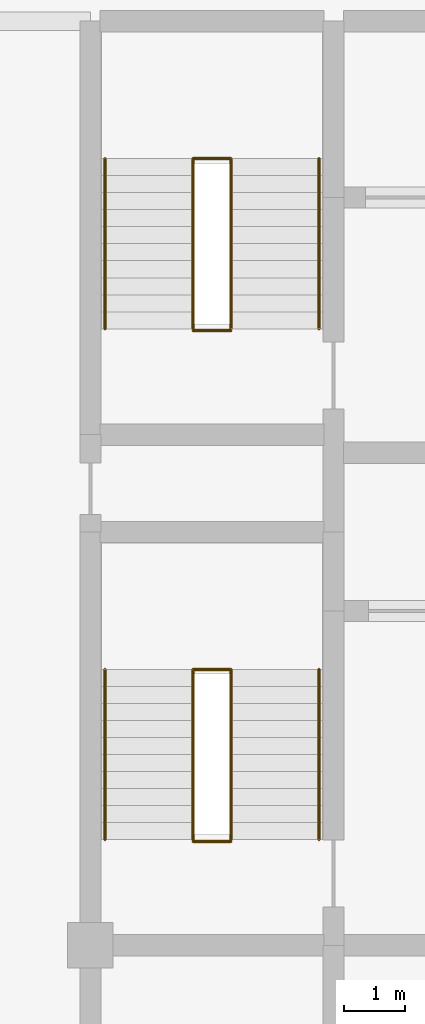
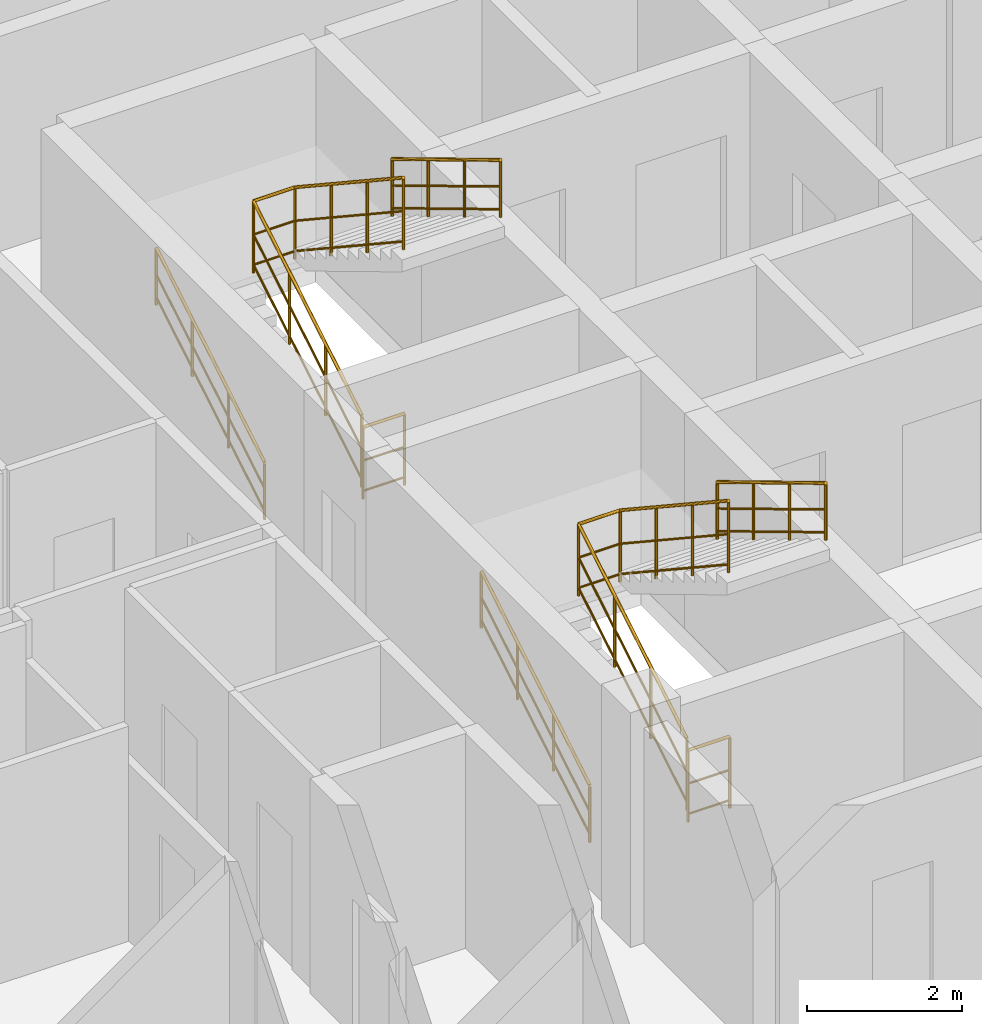
# One storey, part 27 of 27: 8 railings.
"""IFC4 building model written with IfcOpenShell, lengths in metres."""

from ifc_helpers import new_model, si_unit, direction, frame, origin, origin_2d, place, context, subcontext, project, spatial, circle, extrude, material, layer, layer_set, type_object, element, save


model = new_model("IFC4")

# Units and contexts
model_context = context("Model", 3, precision=1e-05, world=origin(), true_north=direction((0.0, 1.0)))
body_context = subcontext(model_context, "Body", "Model", "MODEL_VIEW")
ifc_project = project(units=[si_unit("LENGTHUNIT", "METRE"), si_unit("AREAUNIT", "SQUARE_METRE"), si_unit("VOLUMEUNIT", "CUBIC_METRE"), si_unit("PLANEANGLEUNIT", "RADIAN"), si_unit("MASSUNIT", "GRAM", prefix="KILO")], contexts=[model_context])

# Site, building, storey
site_placement = place(None, origin())
site = spatial("IfcSite", under=ifc_project, at=site_placement, CompositionType="ELEMENT")
building_placement = place(site_placement, origin())
building = spatial("IfcBuilding", under=site, at=building_placement, Name="Keshet Zoharim Tower", CompositionType="ELEMENT")
storey_placement = place(building_placement, frame((0.0, 0.0, 254.699951171875)))
storey = spatial("IfcBuildingStorey", under=building, at=storey_placement, Name="L63", CompositionType="ELEMENT", Elevation=254.699951171875)

# Railings
ifc_material = material(Name="Steel S355", Category="steel")
ifc_layer_1 = layer(ifc_material, 0.050048828125)
ifc_layer_set_1 = layer_set([ifc_layer_1], Name="Steel S355")
railing_type_1 = type_object("IfcRailingType", Name="RL-HND-092", PredefinedType="HANDRAIL", material=ifc_layer_set_1)
railing_1_placement = place(storey_placement, frame((15.239990234375, 24.43994140625, 0.168212890625)))
element("IfcRailing", 1, at=railing_1_placement, inside=storey, type_object=railing_type_1, Name="L63 ST-01 Flight 1 Wall Handrail", PredefinedType="HANDRAIL", context=body_context, shape_type="SweptSolid", body=[
    extrude(circle(Radius=0.02392578125, at=origin_2d()), frame((0.0, 0.0, 0.89599609375), z_axis=(0.0, 0.857242210791, 0.514913383045), x_axis=(-1.0, 0.0, 0.0)), (0.0, 0.0, 1.0), 3.266357421875),
    extrude(circle(Radius=0.01611328125, at=origin_2d()), frame((0.0, 0.0, 0.478271484375), z_axis=(0.0, 0.857242210791, 0.514913383045), x_axis=(-1.0, 0.0, 0.0)), (0.0, 0.0, 1.0), 3.266357421875),
    extrude(circle(Radius=0.01611328125, at=origin_2d()), frame((0.0, 0.0, 0.1201171875), z_axis=(0.0, 0.857242210791, 0.514913383045), x_axis=(-1.0, 0.0, 0.0)), (0.0, 0.0, 1.0), 3.266357421875),
    extrude(circle(Radius=0.02099609375, at=origin_2d()), origin(), (0.0, 0.0, 1.0), 0.871826171875),
    extrude(circle(Radius=0.02099609375, at=origin_2d()), frame((0.0, 0.933349609375, 0.560546875)), (0.0, 0.0, 1.0), 0.871826171875),
    extrude(circle(Radius=0.02099609375, at=origin_2d()), frame((0.0, 1.86669921875, 1.121337890625)), (0.0, 0.0, 1.0), 0.871826171875),
    extrude(circle(Radius=0.02099609375, at=origin_2d()), frame((0.0, 2.800048828125, 1.681884765625)), (0.0, 0.0, 1.0), 0.871826171875),
])
railing_2_placement = place(storey_placement, frame((18.760009765625, 27.239990234375, 2.018310546875)))
element("IfcRailing", 2, at=railing_2_placement, inside=storey, type_object=railing_type_1, Name="L63 ST-01 Flight 2 Wall Handrail", PredefinedType="HANDRAIL", context=body_context, shape_type="SweptSolid", body=[
    extrude(circle(Radius=0.02392578125, at=origin_2d()), frame((0.0, 0.0, 0.89599609375), z_axis=(0.0, -0.857275202839, 0.514858452973), x_axis=(1.0, 0.0, 0.0)), (0.0, 0.0, 1.0), 3.26611328125),
    extrude(circle(Radius=0.01611328125, at=origin_2d()), frame((0.0, 0.0, 0.478271484375), z_axis=(0.0, -0.857275202839, 0.514858452973), x_axis=(1.0, 0.0, 0.0)), (0.0, 0.0, 1.0), 3.26611328125),
    extrude(circle(Radius=0.01611328125, at=origin_2d()), frame((0.0, 0.0, 0.1201171875), z_axis=(0.0, -0.857275202839, 0.514858452973), x_axis=(1.0, 0.0, 0.0)), (0.0, 0.0, 1.0), 3.26611328125),
    extrude(circle(Radius=0.02099609375, at=origin_2d()), origin(), (0.0, 0.0, 1.0), 0.871826171875),
    extrude(circle(Radius=0.02099609375, at=origin_2d()), frame((0.0, -0.933349609375, 0.560546875)), (0.0, 0.0, 1.0), 0.871826171875),
    extrude(circle(Radius=0.02099609375, at=origin_2d()), frame((0.0, -1.86669921875, 1.12109375)), (0.0, 0.0, 1.0), 0.871826171875),
    extrude(circle(Radius=0.02099609375, at=origin_2d()), frame((0.0, -2.800048828125, 1.681640625)), (0.0, 0.0, 1.0), 0.871826171875),
])
railing_3_placement = place(storey_placement, frame((15.239990234375, 32.840087890625, 0.168212890625)))
element("IfcRailing", 3, at=railing_3_placement, inside=storey, type_object=railing_type_1, Name="L63 ST-02 Flight 1 Wall Handrail", PredefinedType="HANDRAIL", context=body_context, shape_type="SweptSolid", body=[
    extrude(circle(Radius=0.02392578125, at=origin_2d()), frame((0.0, 0.0, 0.89599609375), z_axis=(0.0, 0.857222391501, 0.514946377315), x_axis=(-1.0, 0.0, 0.0)), (0.0, 0.0, 1.0), 3.26611328125),
    extrude(circle(Radius=0.01611328125, at=origin_2d()), frame((0.0, 0.0, 0.478271484375), z_axis=(0.0, 0.857222391501, 0.514946377315), x_axis=(-1.0, 0.0, 0.0)), (0.0, 0.0, 1.0), 3.26611328125),
    extrude(circle(Radius=0.01611328125, at=origin_2d()), frame((0.0, 0.0, 0.1201171875), z_axis=(0.0, 0.857222391501, 0.514946377315), x_axis=(-1.0, 0.0, 0.0)), (0.0, 0.0, 1.0), 3.26611328125),
    extrude(circle(Radius=0.02099609375, at=origin_2d()), origin(), (0.0, 0.0, 1.0), 0.871826171875),
    extrude(circle(Radius=0.02099609375, at=origin_2d()), frame((0.0, 0.933349609375, 0.560546875)), (0.0, 0.0, 1.0), 0.871826171875),
    extrude(circle(Radius=0.02099609375, at=origin_2d()), frame((0.0, 1.866455078125, 1.121337890625)), (0.0, 0.0, 1.0), 0.871826171875),
    extrude(circle(Radius=0.02099609375, at=origin_2d()), frame((0.0, 2.7998046875, 1.681884765625)), (0.0, 0.0, 1.0), 0.871826171875),
])
railing_4_placement = place(storey_placement, frame((18.760009765625, 35.639892578125, 2.018310546875)))
element("IfcRailing", 4, at=railing_4_placement, inside=storey, type_object=railing_type_1, Name="L63 ST-02 Flight 2 Wall Handrail", PredefinedType="HANDRAIL", context=body_context, shape_type="SweptSolid", body=[
    extrude(circle(Radius=0.02392578125, at=origin_2d()), frame((0.0, 0.0, 0.89599609375), z_axis=(0.0, -0.857255387014, 0.514891446264), x_axis=(1.0, 0.0, 0.0)), (0.0, 0.0, 1.0), 3.26611328125),
    extrude(circle(Radius=0.01611328125, at=origin_2d()), frame((0.0, 0.0, 0.478271484375), z_axis=(0.0, -0.857255387014, 0.514891446264), x_axis=(1.0, 0.0, 0.0)), (0.0, 0.0, 1.0), 3.26611328125),
    extrude(circle(Radius=0.01611328125, at=origin_2d()), frame((0.0, 0.0, 0.1201171875), z_axis=(0.0, -0.857255387014, 0.514891446264), x_axis=(1.0, 0.0, 0.0)), (0.0, 0.0, 1.0), 3.26611328125),
    extrude(circle(Radius=0.02099609375, at=origin_2d()), origin(), (0.0, 0.0, 1.0), 0.871826171875),
    extrude(circle(Radius=0.02099609375, at=origin_2d()), frame((0.0, -0.933349609375, 0.560546875)), (0.0, 0.0, 1.0), 0.871826171875),
    extrude(circle(Radius=0.02099609375, at=origin_2d()), frame((0.0, -1.866455078125, 1.12109375)), (0.0, 0.0, 1.0), 0.871826171875),
    extrude(circle(Radius=0.02099609375, at=origin_2d()), frame((0.0, -2.7998046875, 1.681640625)), (0.0, 0.0, 1.0), 0.871826171875),
])
ifc_layer_2 = layer(ifc_material, 0.06005859375)
ifc_layer_set_2 = layer_set([ifc_layer_2], Name="Steel S355")
railing_type_2 = type_object("IfcRailingType", Name="RL-STG-115", PredefinedType="GUARDRAIL", material=ifc_layer_set_2)
railing_5_placement = place(storey_placement, frame((16.68994140625, 24.43994140625, 0.168212890625)))
element("IfcRailing", 5, at=railing_5_placement, inside=storey, type_object=railing_type_2, Name="L63 ST-01 Inner Well Guardrail", PredefinedType="GUARDRAIL", context=body_context, shape_type="SweptSolid", body=[
    extrude(circle(Radius=0.02392578125, at=origin_2d()), frame((0.0, 0.0, 1.1259765625), z_axis=(0.0, 0.857242210791, 0.514913383045), x_axis=(-1.0, 0.0, 0.0)), (0.0, 0.0, 1.0), 3.266357421875),
    extrude(circle(Radius=0.01611328125, at=origin_2d()), frame((0.0, 0.0, 0.597900390625), z_axis=(0.0, 0.857242210791, 0.514913383045), x_axis=(-1.0, 0.0, 0.0)), (0.0, 0.0, 1.0), 3.266357421875),
    extrude(circle(Radius=0.01611328125, at=origin_2d()), frame((0.0, 0.0, 0.1201171875), z_axis=(0.0, 0.857242210791, 0.514913383045), x_axis=(-1.0, 0.0, 0.0)), (0.0, 0.0, 1.0), 3.266357421875),
    extrude(circle(Radius=0.02392578125, at=origin_2d()), frame((0.0, 2.800048828125, 2.8076171875), z_axis=(1.0, 0.0, 0.0), x_axis=(0.0, 1.0, 0.0)), (0.0, 0.0, 1.0), 0.6201171875),
    extrude(circle(Radius=0.01611328125, at=origin_2d()), frame((0.0, 2.800048828125, 2.27978515625), z_axis=(1.0, 0.0, 0.0), x_axis=(0.0, 1.0, 0.0)), (0.0, 0.0, 1.0), 0.6201171875),
    extrude(circle(Radius=0.01611328125, at=origin_2d()), frame((0.0, 2.800048828125, 1.802001953125), z_axis=(1.0, 0.0, 0.0), x_axis=(0.0, 1.0, 0.0)), (0.0, 0.0, 1.0), 0.6201171875),
    extrude(circle(Radius=0.02392578125, at=origin_2d()), frame((0.6201171875, 2.800048828125, 2.8076171875), z_axis=(0.0, -0.83435981716, 0.551220187865), x_axis=(1.0, 0.0, 0.0)), (0.0, 0.0, 1.0), 3.35595703125),
    extrude(circle(Radius=0.01611328125, at=origin_2d()), frame((0.6201171875, 2.800048828125, 2.27978515625), z_axis=(0.0, -0.83435981716, 0.551220187865), x_axis=(1.0, 0.0, 0.0)), (0.0, 0.0, 1.0), 3.35595703125),
    extrude(circle(Radius=0.01611328125, at=origin_2d()), frame((0.6201171875, 2.800048828125, 1.802001953125), z_axis=(0.0, -0.83435981716, 0.551220187865), x_axis=(1.0, 0.0, 0.0)), (0.0, 0.0, 1.0), 3.35595703125),
    extrude(circle(Radius=0.02099609375, at=origin_2d()), origin(), (0.0, 0.0, 1.0), 1.101806640625),
    extrude(circle(Radius=0.02099609375, at=origin_2d()), frame((0.0, 0.933349609375, 0.560546875)), (0.0, 0.0, 1.0), 1.101806640625),
    extrude(circle(Radius=0.02099609375, at=origin_2d()), frame((0.0, 1.86669921875, 1.121337890625)), (0.0, 0.0, 1.0), 1.101806640625),
    extrude(circle(Radius=0.02099609375, at=origin_2d()), frame((0.0, 2.800048828125, 1.681884765625)), (0.0, 0.0, 1.0), 1.101806640625),
    extrude(circle(Radius=0.02099609375, at=origin_2d()), frame((0.6201171875, 2.800048828125, 1.681884765625)), (0.0, 0.0, 1.0), 1.101806640625),
    extrude(circle(Radius=0.02099609375, at=origin_2d()), frame((0.6201171875, 1.86669921875, 2.298583984375)), (0.0, 0.0, 1.0), 1.101806640625),
    extrude(circle(Radius=0.02099609375, at=origin_2d()), frame((0.6201171875, 0.933349609375, 2.9150390625)), (0.0, 0.0, 1.0), 1.101806640625),
    extrude(circle(Radius=0.02099609375, at=origin_2d()), frame((0.6201171875, 0.0, 3.53173828125)), (0.0, 0.0, 1.0), 1.101806640625),
])
railing_6_placement = place(storey_placement, frame((16.68994140625, 24.409912109375, 0.0)))
element("IfcRailing", 6, at=railing_6_placement, inside=storey, type_object=railing_type_2, Name="L63 ST-01 Stairwell Floor Guardrail", PredefinedType="GUARDRAIL", context=body_context, shape_type="SweptSolid", body=[
    extrude(circle(Radius=0.02392578125, at=origin_2d()), frame((0.0, 0.0, 1.1259765625), z_axis=(1.0, 0.0, 0.0), x_axis=(0.0, 1.0, 0.0)), (0.0, 0.0, 1.0), 0.6201171875),
    extrude(circle(Radius=0.01611328125, at=origin_2d()), frame((0.0, 0.0, 0.597900390625), z_axis=(1.0, 0.0, 0.0), x_axis=(0.0, 1.0, 0.0)), (0.0, 0.0, 1.0), 0.6201171875),
    extrude(circle(Radius=0.01611328125, at=origin_2d()), frame((0.0, 0.0, 0.1201171875), z_axis=(1.0, 0.0, 0.0), x_axis=(0.0, 1.0, 0.0)), (0.0, 0.0, 1.0), 0.6201171875),
    extrude(circle(Radius=0.02099609375, at=origin_2d()), origin(), (0.0, 0.0, 1.0), 1.101806640625),
    extrude(circle(Radius=0.02099609375, at=origin_2d()), frame((0.6201171875, 0.0, 0.0)), (0.0, 0.0, 1.0), 1.101806640625),
])
railing_7_placement = place(storey_placement, frame((16.68994140625, 32.840087890625, 0.168212890625)))
element("IfcRailing", 7, at=railing_7_placement, inside=storey, type_object=railing_type_2, Name="L63 ST-02 Inner Well Guardrail", PredefinedType="GUARDRAIL", context=body_context, shape_type="SweptSolid", body=[
    extrude(circle(Radius=0.02392578125, at=origin_2d()), frame((0.0, 0.0, 1.1259765625), z_axis=(0.0, 0.857222391501, 0.514946377315), x_axis=(-1.0, 0.0, 0.0)), (0.0, 0.0, 1.0), 3.26611328125),
    extrude(circle(Radius=0.01611328125, at=origin_2d()), frame((0.0, 0.0, 0.597900390625), z_axis=(0.0, 0.857222391501, 0.514946377315), x_axis=(-1.0, 0.0, 0.0)), (0.0, 0.0, 1.0), 3.26611328125),
    extrude(circle(Radius=0.01611328125, at=origin_2d()), frame((0.0, 0.0, 0.1201171875), z_axis=(0.0, 0.857222391501, 0.514946377315), x_axis=(-1.0, 0.0, 0.0)), (0.0, 0.0, 1.0), 3.26611328125),
    extrude(circle(Radius=0.02392578125, at=origin_2d()), frame((0.0, 2.7998046875, 2.8076171875), z_axis=(1.0, 0.0, 0.0), x_axis=(0.0, 1.0, 0.0)), (0.0, 0.0, 1.0), 0.6201171875),
    extrude(circle(Radius=0.01611328125, at=origin_2d()), frame((0.0, 2.7998046875, 2.27978515625), z_axis=(1.0, 0.0, 0.0), x_axis=(0.0, 1.0, 0.0)), (0.0, 0.0, 1.0), 0.6201171875),
    extrude(circle(Radius=0.01611328125, at=origin_2d()), frame((0.0, 2.7998046875, 1.802001953125), z_axis=(1.0, 0.0, 0.0), x_axis=(0.0, 1.0, 0.0)), (0.0, 0.0, 1.0), 0.6201171875),
    extrude(circle(Radius=0.02392578125, at=origin_2d()), frame((0.6201171875, 2.7998046875, 2.8076171875), z_axis=(0.0, -0.834337710781, 0.551253647941), x_axis=(1.0, 0.0, 0.0)), (0.0, 0.0, 1.0), 3.355712890625),
    extrude(circle(Radius=0.01611328125, at=origin_2d()), frame((0.6201171875, 2.7998046875, 2.27978515625), z_axis=(0.0, -0.834337710781, 0.551253647941), x_axis=(1.0, 0.0, 0.0)), (0.0, 0.0, 1.0), 3.355712890625),
    extrude(circle(Radius=0.01611328125, at=origin_2d()), frame((0.6201171875, 2.7998046875, 1.802001953125), z_axis=(0.0, -0.834337710781, 0.551253647941), x_axis=(1.0, 0.0, 0.0)), (0.0, 0.0, 1.0), 3.355712890625),
    extrude(circle(Radius=0.02099609375, at=origin_2d()), origin(), (0.0, 0.0, 1.0), 1.101806640625),
    extrude(circle(Radius=0.02099609375, at=origin_2d()), frame((0.0, 0.933349609375, 0.560546875)), (0.0, 0.0, 1.0), 1.101806640625),
    extrude(circle(Radius=0.02099609375, at=origin_2d()), frame((0.0, 1.866455078125, 1.121337890625)), (0.0, 0.0, 1.0), 1.101806640625),
    extrude(circle(Radius=0.02099609375, at=origin_2d()), frame((0.0, 2.7998046875, 1.681884765625)), (0.0, 0.0, 1.0), 1.101806640625),
    extrude(circle(Radius=0.02099609375, at=origin_2d()), frame((0.6201171875, 2.7998046875, 1.681884765625)), (0.0, 0.0, 1.0), 1.101806640625),
    extrude(circle(Radius=0.02099609375, at=origin_2d()), frame((0.6201171875, 1.866455078125, 2.298583984375)), (0.0, 0.0, 1.0), 1.101806640625),
    extrude(circle(Radius=0.02099609375, at=origin_2d()), frame((0.6201171875, 0.933349609375, 2.9150390625)), (0.0, 0.0, 1.0), 1.101806640625),
    extrude(circle(Radius=0.02099609375, at=origin_2d()), frame((0.6201171875, 0.0, 3.53173828125)), (0.0, 0.0, 1.0), 1.101806640625),
])
railing_8_placement = place(storey_placement, frame((16.68994140625, 32.81005859375, 0.0)))
element("IfcRailing", 8, at=railing_8_placement, inside=storey, type_object=railing_type_2, Name="L63 ST-02 Stairwell Floor Guardrail", PredefinedType="GUARDRAIL", context=body_context, shape_type="SweptSolid", body=[
    extrude(circle(Radius=0.02392578125, at=origin_2d()), frame((0.0, 0.0, 1.1259765625), z_axis=(1.0, 0.0, 0.0), x_axis=(0.0, 1.0, 0.0)), (0.0, 0.0, 1.0), 0.6201171875),
    extrude(circle(Radius=0.01611328125, at=origin_2d()), frame((0.0, 0.0, 0.597900390625), z_axis=(1.0, 0.0, 0.0), x_axis=(0.0, 1.0, 0.0)), (0.0, 0.0, 1.0), 0.6201171875),
    extrude(circle(Radius=0.01611328125, at=origin_2d()), frame((0.0, 0.0, 0.1201171875), z_axis=(1.0, 0.0, 0.0), x_axis=(0.0, 1.0, 0.0)), (0.0, 0.0, 1.0), 0.6201171875),
    extrude(circle(Radius=0.02099609375, at=origin_2d()), origin(), (0.0, 0.0, 1.0), 1.101806640625),
    extrude(circle(Radius=0.02099609375, at=origin_2d()), frame((0.6201171875, 0.0, 0.0)), (0.0, 0.0, 1.0), 1.101806640625),
])

save(model, "model.ifc")
